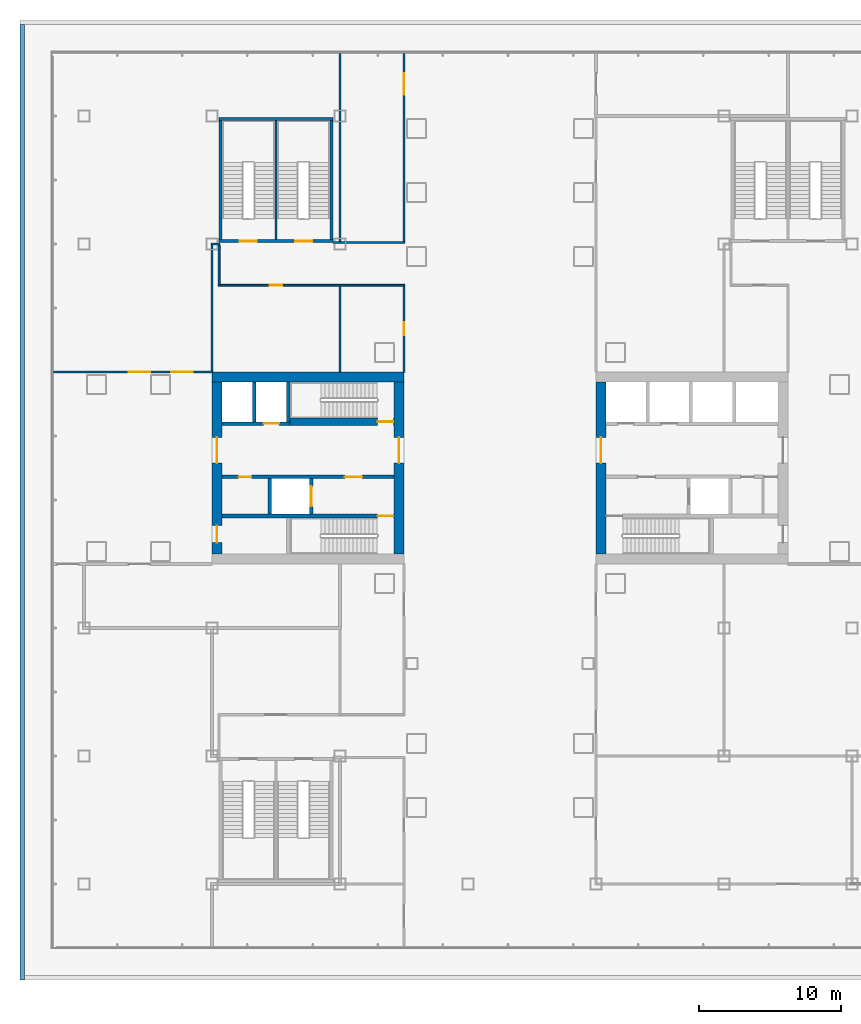
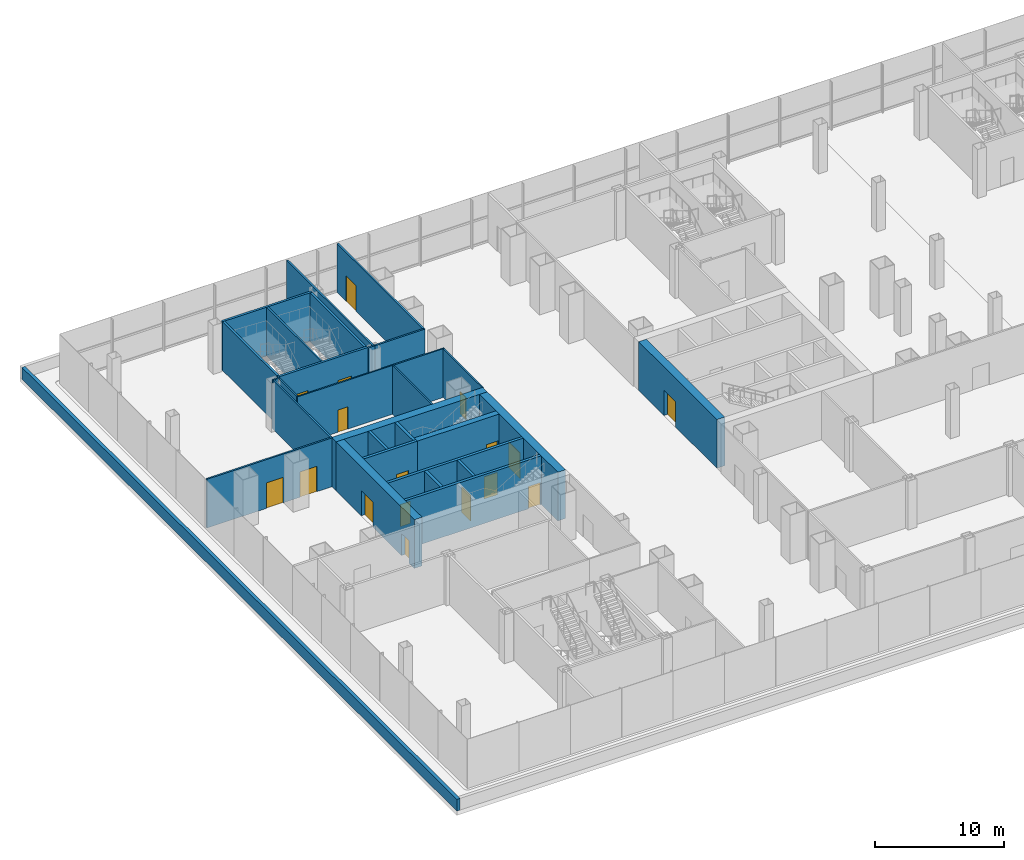
# One storey, part 21 of 33: 29 walls, 17 doors, 17 openings.
"""IFC4 building model written with IfcOpenShell, lengths in metres."""

from ifc_helpers import new_model, si_unit, direction, frame, frame_2d, origin, place, context, subcontext, project, spatial, rectangle, extrude, material, layer, layer_set, type_object, element, fill, save


model = new_model("IFC4")

# Units and contexts
model_context = context("Model", 3, precision=1e-05, world=origin(), true_north=direction((0.0, 1.0)))
body_context = subcontext(model_context, "Body", "Model", "MODEL_VIEW")
ifc_project = project(units=[si_unit("LENGTHUNIT", "METRE"), si_unit("AREAUNIT", "SQUARE_METRE"), si_unit("VOLUMEUNIT", "CUBIC_METRE"), si_unit("PLANEANGLEUNIT", "RADIAN"), si_unit("MASSUNIT", "GRAM", prefix="KILO")], contexts=[model_context])

# Site, building, storey
site_placement = place(None, origin())
site = spatial("IfcSite", under=ifc_project, at=site_placement, CompositionType="ELEMENT")
building_placement = place(site_placement, origin())
building = spatial("IfcBuilding", under=site, at=building_placement, Name="Shamsa Quay Exchange Towers", CompositionType="ELEMENT")
storey_placement = place(building_placement, frame((0.0, 0.0, 18.5)))
storey = spatial("IfcBuildingStorey", under=building, at=storey_placement, Name="L03", CompositionType="ELEMENT", Elevation=18.5)

# Wall, opening, door
ifc_material_1 = material(Name="Concrete C80/95", Category="concrete")
ifc_layer_1 = layer(ifc_material_1, 0.699951171875)
ifc_layer_set_1 = layer_set([ifc_layer_1], Name="CORE WALL 700 C80/95")
wall_type_1 = type_object("IfcWallType", Name="CORE WALL 700 C80/95", PredefinedType="SHEAR", material=ifc_layer_set_1)
wall_1_placement = place(storey_placement, frame((-26.64990234375, 6.050048828125, 0.0), z_axis=(0.0, 0.0, 1.0), x_axis=(0.0, -1.0, 0.0)))
wall_1 = element("IfcWall", 1, at=wall_1_placement, inside=storey, type_object=wall_type_1, Name="Core wall T1A-L03-PF", PredefinedType="SHEAR", context=body_context, shape_type="SweptSolid", body=[
    extrude(rectangle(XDim=12.10009765625, YDim=0.699951171875, at=frame_2d((6.050048828125, 0.0))), origin(), (0.0, 0.0, 1.0), 4.60009765625),
])
opening_1_placement = place(wall_1_placement, frame((3.89990234375, 0.0, 0.0)))
opening_1 = element("IfcOpeningElement", 2, at=opening_1_placement, cuts=wall_1, Name="Opening T1A-L03-LBD01", PredefinedType="OPENING", context=body_context, shape_type="SweptSolid", body=[
    extrude(rectangle(XDim=1.800048828125, YDim=2.39990234375, at=frame_2d((0.89990234375, 1.199951171875))), frame((0.0, 0.35986328125, 0.0), z_axis=(0.0, -1.0, 0.0), x_axis=(1.0, 0.0, 0.0)), (0.0, 0.0, 1.0), 0.719970703125),
])
ifc_material_2 = material(Name="Steel, fire rated", Category="steel")
door_type_1 = type_object("IfcDoorType", Name="LIFT LOBBY DOOR PAIR 1800", OperationType="DOUBLE_DOOR_SINGLE_SWING", PredefinedType="DOOR", material=ifc_material_2)
door_1_placement = place(opening_1_placement, origin())
door_1 = element("IfcDoor", 3, at=door_1_placement, inside=storey, type_object=door_type_1, Name="T1A-L03-LBD01", OperationType="DOUBLE_DOOR_SINGLE_SWING", OverallHeight=2.39990234375, OverallWidth=1.800048828125, PredefinedType="DOOR", context=body_context, shape_type="SweptSolid", body=[
    extrude(rectangle(XDim=1.800048828125, YDim=2.39990234375, at=frame_2d((0.89990234375, 1.199951171875))), frame((0.0, 0.02490234375, 0.0), z_axis=(0.0, -1.0, 0.0), x_axis=(1.0, 0.0, 0.0)), (0.0, 0.0, 1.0), 0.050048828125),
])
fill(opening_1, door_1)

# Wall
wall_2_placement = place(storey_placement, frame((-40.5, 6.39990234375, 0.0), z_axis=(0.0, 0.0, 1.0), x_axis=(-1.0, 0.0, 0.0)))
element("IfcWall", 4, at=wall_2_placement, inside=storey, type_object=wall_type_1, Name="Core wall T1B-L03-PN", PredefinedType="SHEAR", context=body_context, shape_type="SweptSolid", body=[
    extrude(rectangle(XDim=13.5, YDim=0.699951171875, at=frame_2d((6.75, 0.0))), origin(), (0.0, 0.0, 1.0), 4.60009765625),
])

# Wall, opening, door
wall_3_placement = place(storey_placement, frame((-40.85009765625, -6.050048828125, 0.0), z_axis=(0.0, 0.0, 1.0), x_axis=(0.0, 1.0, 0.0)))
wall_3 = element("IfcWall", 5, at=wall_3_placement, inside=storey, type_object=wall_type_1, Name="Core wall T1B-L03-PF", PredefinedType="SHEAR", context=body_context, shape_type="SweptSolid", body=[
    extrude(rectangle(XDim=12.10009765625, YDim=0.699951171875, at=frame_2d((6.050048828125, 0.0))), origin(), (0.0, 0.0, 1.0), 4.60009765625),
])
opening_2_placement = place(wall_3_placement, frame((6.39990234375, 0.0, 0.0)))
opening_2 = element("IfcOpeningElement", 6, at=opening_2_placement, cuts=wall_3, Name="Opening T1B-L03-LBD01", PredefinedType="OPENING", context=body_context, shape_type="SweptSolid", body=[
    extrude(rectangle(XDim=1.800048828125, YDim=2.39990234375, at=frame_2d((0.89990234375, 1.199951171875))), frame((0.0, 0.35986328125, 0.0), z_axis=(0.0, -1.0, 0.0), x_axis=(1.0, 0.0, 0.0)), (0.0, 0.0, 1.0), 0.719970703125),
])
door_2_placement = place(opening_2_placement, origin())
door_2 = element("IfcDoor", 7, at=door_2_placement, inside=storey, type_object=door_type_1, Name="T1B-L03-LBD01", OperationType="DOUBLE_DOOR_SINGLE_SWING", OverallHeight=2.39990234375, OverallWidth=1.800048828125, PredefinedType="DOOR", context=body_context, shape_type="SweptSolid", body=[
    extrude(rectangle(XDim=1.800048828125, YDim=2.39990234375, at=frame_2d((0.89990234375, 1.199951171875))), frame((0.0, 0.02490234375, 0.0), z_axis=(0.0, -1.0, 0.0), x_axis=(1.0, 0.0, 0.0)), (0.0, 0.0, 1.0), 0.050048828125),
])
fill(opening_2, door_2)

# Wall, openings, doors
wall_4_placement = place(storey_placement, frame((-53.64990234375, -6.050048828125, 0.0), z_axis=(0.0, 0.0, 1.0), x_axis=(0.0, 1.0, 0.0)))
wall_4 = element("IfcWall", 8, at=wall_4_placement, inside=storey, type_object=wall_type_1, Name="Core wall T1B-L03-PB", PredefinedType="SHEAR", context=body_context, shape_type="SweptSolid", body=[
    extrude(rectangle(XDim=12.10009765625, YDim=0.699951171875, at=frame_2d((6.050048828125, 0.0))), origin(), (0.0, 0.0, 1.0), 4.60009765625),
])
opening_3_placement = place(wall_4_placement, frame((0.800048828125, 0.0, 0.0)))
opening_3 = element("IfcOpeningElement", 9, at=opening_3_placement, cuts=wall_4, Name="Opening T1B-L03-RD02", PredefinedType="OPENING", context=body_context, shape_type="SweptSolid", body=[
    extrude(rectangle(XDim=1.199951171875, YDim=2.10009765625, at=frame_2d((0.60009765625, 1.050048828125))), frame((0.0, 0.35986328125, 0.0), z_axis=(0.0, -1.0, 0.0), x_axis=(1.0, 0.0, 0.0)), (0.0, 0.0, 1.0), 0.719970703125),
])
opening_4_placement = place(wall_4_placement, frame((6.39990234375, 0.0, 0.0)))
opening_4 = element("IfcOpeningElement", 10, at=opening_4_placement, cuts=wall_4, Name="Opening T1B-L03-LBD03", PredefinedType="OPENING", context=body_context, shape_type="SweptSolid", body=[
    extrude(rectangle(XDim=1.800048828125, YDim=2.39990234375, at=frame_2d((0.89990234375, 1.199951171875))), frame((0.0, 0.35986328125, 0.0), z_axis=(0.0, -1.0, 0.0), x_axis=(1.0, 0.0, 0.0)), (0.0, 0.0, 1.0), 0.719970703125),
])
door_3_placement = place(opening_4_placement, origin())
door_3 = element("IfcDoor", 11, at=door_3_placement, inside=storey, type_object=door_type_1, Name="T1B-L03-LBD03", OperationType="DOUBLE_DOOR_SINGLE_SWING", OverallHeight=2.39990234375, OverallWidth=1.800048828125, PredefinedType="DOOR", context=body_context, shape_type="SweptSolid", body=[
    extrude(rectangle(XDim=1.800048828125, YDim=2.39990234375, at=frame_2d((0.89990234375, 1.199951171875))), frame((0.0, 0.02490234375, 0.0), z_axis=(0.0, -1.0, 0.0), x_axis=(1.0, 0.0, 0.0)), (0.0, 0.0, 1.0), 0.050048828125),
])
fill(opening_4, door_3)
door_type_2 = type_object("IfcDoorType", Name="RISER ACCESS DOOR 1200", OperationType="SINGLE_SWING_LEFT", PredefinedType="DOOR", material=ifc_material_2)
door_4_placement = place(opening_3_placement, origin())
door_4 = element("IfcDoor", 12, at=door_4_placement, inside=storey, type_object=door_type_2, Name="T1B-L03-RD02", OperationType="SINGLE_SWING_LEFT", OverallHeight=2.10009765625, OverallWidth=1.199951171875, PredefinedType="DOOR", context=body_context, shape_type="SweptSolid", body=[
    extrude(rectangle(XDim=1.199951171875, YDim=2.10009765625, at=frame_2d((0.60009765625, 1.050048828125))), frame((0.0, 0.02490234375, 0.0), z_axis=(0.0, -1.0, 0.0), x_axis=(1.0, 0.0, 0.0)), (0.0, 0.0, 1.0), 0.050048828125),
])
fill(opening_3, door_4)

# Wall, opening, door
ifc_material_3 = material(Name="Laminated fire-resisting glass in a metal frame", Category="glass")
ifc_layer_2 = layer(ifc_material_3, 0.125)
ifc_layer_set_2 = layer_set([ifc_layer_2], Name="Glazed partition 125 mm EI 60")
wall_type_2 = type_object("IfcWallType", Name="Glazed partition 125 mm EI 60", PredefinedType="PARTITIONING", material=ifc_layer_set_2)
wall_5_placement = place(storey_placement, frame((-40.5, 6.75, 0.0), z_axis=(0.0, 0.0, 1.0), x_axis=(0.0, 1.0, 0.0)))
wall_5 = element("IfcWall", 13, at=wall_5_placement, inside=storey, type_object=wall_type_2, Name="Partition PD-L03-W09", PredefinedType="PARTITIONING", context=body_context, shape_type="SweptSolid", body=[
    extrude(rectangle(XDim=6.037109375, YDim=0.125, at=frame_2d((3.0185546875, 0.0))), origin(), (0.0, 0.0, 1.0), 4.60009765625),
])
opening_5_placement = place(wall_5_placement, frame((2.599853515625, 0.0, 0.0)))
opening_5 = element("IfcOpeningElement", 14, at=opening_5_placement, cuts=wall_5, Name="Opening PD-L03-D09", PredefinedType="OPENING", context=body_context, shape_type="SweptSolid", body=[
    extrude(rectangle(XDim=0.89990234375, YDim=2.10009765625, at=frame_2d((0.449951171875, 1.050048828125))), frame((0.0, 0.072509765625, 0.0), z_axis=(0.0, -1.0, 0.0), x_axis=(1.0, 0.0, 0.0)), (0.0, 0.0, 1.0), 0.14501953125),
])
ifc_material_4 = material(Name="Timber door leaf in a metal frame", Category="wood")
door_type_3 = type_object("IfcDoorType", Name="Door 900x2100 FD30S", OperationType="NOTDEFINED", PredefinedType="DOOR", material=ifc_material_4)
door_5_placement = place(opening_5_placement, origin())
door_5 = element("IfcDoor", 15, at=door_5_placement, inside=storey, type_object=door_type_3, Name="Door PD-L03-D09", OperationType="SINGLE_SWING_LEFT", OverallHeight=2.10009765625, OverallWidth=0.89990234375, PredefinedType="DOOR", context=body_context, shape_type="SweptSolid", body=[
    extrude(rectangle(XDim=0.89990234375, YDim=2.10009765625, at=frame_2d((0.449951171875, 1.050048828125))), frame((0.0, 0.02490234375, 0.0), z_axis=(0.0, -1.0, 0.0), x_axis=(1.0, 0.0, 0.0)), (0.0, 0.0, 1.0), 0.050048828125),
])
fill(opening_5, door_5)

wall_6_placement = place(storey_placement, frame((-40.4375, 12.849609375, 0.0), z_axis=(0.0, 0.0, 1.0), x_axis=(-1.0, 0.0, 0.0)))
wall_6 = element("IfcWall", 16, at=wall_6_placement, inside=storey, type_object=wall_type_2, Name="Partition PD-L03-W42", PredefinedType="PARTITIONING", context=body_context, shape_type="SweptSolid", body=[
    extrude(rectangle(XDim=13.125, YDim=0.125, at=frame_2d((6.5625, 0.0))), origin(), (0.0, 0.0, 1.0), 4.60009765625),
])
opening_6_placement = place(wall_6_placement, frame((8.612548828125, 0.0, 0.0)))
opening_6 = element("IfcOpeningElement", 17, at=opening_6_placement, cuts=wall_6, Name="Opening PD-L03-D10", PredefinedType="OPENING", context=body_context, shape_type="SweptSolid", body=[
    extrude(rectangle(XDim=0.89990234375, YDim=2.10009765625, at=frame_2d((0.449951171875, 1.050048828125))), frame((0.0, 0.072509765625, 0.0), z_axis=(0.0, -1.0, 0.0), x_axis=(1.0, 0.0, 0.0)), (0.0, 0.0, 1.0), 0.14501953125),
])
door_6_placement = place(opening_6_placement, origin())
door_6 = element("IfcDoor", 18, at=door_6_placement, inside=storey, type_object=door_type_3, Name="Door PD-L03-D10", OperationType="SINGLE_SWING_RIGHT", OverallHeight=2.10009765625, OverallWidth=0.89990234375, PredefinedType="DOOR", context=body_context, shape_type="SweptSolid", body=[
    extrude(rectangle(XDim=0.89990234375, YDim=2.10009765625, at=frame_2d((0.449951171875, 1.050048828125))), frame((0.0, 0.02490234375, 0.0), z_axis=(0.0, -1.0, 0.0), x_axis=(1.0, 0.0, 0.0)), (0.0, 0.0, 1.0), 0.050048828125),
])
fill(opening_6, door_6)

# Walls
wall_7_placement = place(storey_placement, frame((-53.5, 12.912109375, 0.0), z_axis=(0.0, 0.0, 1.0), x_axis=(0.0, 1.0, 0.0)))
element("IfcWall", 19, at=wall_7_placement, inside=storey, type_object=wall_type_2, Name="Partition PD-L03-W43", PredefinedType="PARTITIONING", context=body_context, shape_type="SweptSolid", body=[
    extrude(rectangle(XDim=2.762939453125, YDim=0.125, at=frame_2d((1.38134765625, 0.0))), origin(), (0.0, 0.0, 1.0), 4.60009765625),
])
wall_8_placement = place(storey_placement, frame((-45.0, 6.75, 0.0), z_axis=(0.0, 0.0, 1.0), x_axis=(0.0, 1.0, 0.0)))
element("IfcWall", 20, at=wall_8_placement, inside=storey, type_object=wall_type_2, Name="Partition PD-L03-W98", PredefinedType="PARTITIONING", context=body_context, shape_type="SweptSolid", body=[
    extrude(rectangle(XDim=6.037109375, YDim=0.125, at=frame_2d((3.0185546875, 0.0))), origin(), (0.0, 0.0, 1.0), 4.60009765625),
])

# Wall, opening, door
ifc_material_5 = material(Name="Gypsum board partition on metal studs")
ifc_layer_3 = layer(ifc_material_5, 0.14990234375)
ifc_layer_set_3 = layer_set([ifc_layer_3], Name="Partition 150 mm EI 60")
wall_type_3 = type_object("IfcWallType", Name="Partition 150 mm EI 60", PredefinedType="PARTITIONING", material=ifc_layer_set_3)
wall_9_placement = place(storey_placement, frame((-40.5, 15.924560546875, 0.0), z_axis=(0.0, 0.0, 1.0), x_axis=(0.0, 1.0, 0.0)))
wall_9 = element("IfcWall", 21, at=wall_9_placement, inside=storey, type_object=wall_type_3, Name="Partition PD-L03-W05", PredefinedType="PARTITIONING", context=body_context, shape_type="SweptSolid", body=[
    extrude(rectangle(XDim=13.23046875, YDim=0.14990234375, at=frame_2d((6.615234375, 0.0))), origin(), (0.0, 0.0, 1.0), 4.60009765625),
])
opening_7_placement = place(wall_9_placement, frame((10.325439453125, 0.0, 0.0)))
opening_7 = element("IfcOpeningElement", 22, at=opening_7_placement, cuts=wall_9, Name="Opening PD-L03-D11", PredefinedType="OPENING", context=body_context, shape_type="SweptSolid", body=[
    extrude(rectangle(XDim=1.5, YDim=2.39990234375, at=frame_2d((0.75, 1.199951171875))), frame((0.0, 0.0849609375, 0.0), z_axis=(0.0, -1.0, 0.0), x_axis=(1.0, 0.0, 0.0)), (0.0, 0.0, 1.0), 0.169921875),
])
door_type_4 = type_object("IfcDoorType", Name="Door 1500x2400 FD30S pair", OperationType="NOTDEFINED", PredefinedType="DOOR", material=ifc_material_4)
door_7_placement = place(opening_7_placement, origin())
door_7 = element("IfcDoor", 23, at=door_7_placement, inside=storey, type_object=door_type_4, Name="Door PD-L03-D11", OperationType="DOUBLE_DOOR_SINGLE_SWING", OverallHeight=2.39990234375, OverallWidth=1.5, PredefinedType="DOOR", context=body_context, shape_type="SweptSolid", body=[
    extrude(rectangle(XDim=1.5, YDim=2.39990234375, at=frame_2d((0.75, 1.199951171875))), frame((0.0, 0.02490234375, 0.0), z_axis=(0.0, -1.0, 0.0), x_axis=(1.0, 0.0, 0.0)), (0.0, 0.0, 1.0), 0.050048828125),
])
fill(opening_7, door_7)

# Wall, openings, doors
wall_10_placement = place(storey_placement, frame((-53.925048828125, 6.75, 0.0), z_axis=(0.0, 0.0, 1.0), x_axis=(-1.0, 0.0, 0.0)))
wall_10 = element("IfcWall", 24, at=wall_10_placement, inside=storey, type_object=wall_type_3, Name="Partition PD-L03-W32", PredefinedType="PARTITIONING", context=body_context, shape_type="SweptSolid", body=[
    extrude(rectangle(XDim=11.22998046875, YDim=0.14990234375, at=frame_2d((5.614990234375, 0.0))), origin(), (0.0, 0.0, 1.0), 4.60009765625),
])
opening_8_placement = place(wall_10_placement, frame((1.425048828125, 0.0, 0.0)))
opening_8 = element("IfcOpeningElement", 25, at=opening_8_placement, cuts=wall_10, Name="Opening PD-L03-D03", PredefinedType="OPENING", context=body_context, shape_type="SweptSolid", body=[
    extrude(rectangle(XDim=1.5, YDim=2.39990234375, at=frame_2d((0.75, 1.199951171875))), frame((0.0, 0.0849609375, 0.0), z_axis=(0.0, -1.0, 0.0), x_axis=(1.0, 0.0, 0.0)), (0.0, 0.0, 1.0), 0.169921875),
])
opening_9_placement = place(wall_10_placement, frame((4.425048828125, 0.0, 0.0)))
opening_9 = element("IfcOpeningElement", 26, at=opening_9_placement, cuts=wall_10, Name="Opening PD-L03-D04", PredefinedType="OPENING", context=body_context, shape_type="SweptSolid", body=[
    extrude(rectangle(XDim=1.5, YDim=2.39990234375, at=frame_2d((0.75, 1.199951171875))), frame((0.0, 0.0849609375, 0.0), z_axis=(0.0, -1.0, 0.0), x_axis=(1.0, 0.0, 0.0)), (0.0, 0.0, 1.0), 0.169921875),
])
door_8_placement = place(opening_8_placement, origin())
door_8 = element("IfcDoor", 27, at=door_8_placement, inside=storey, type_object=door_type_4, Name="Door PD-L03-D03", OperationType="DOUBLE_DOOR_SINGLE_SWING", OverallHeight=2.39990234375, OverallWidth=1.5, PredefinedType="DOOR", context=body_context, shape_type="SweptSolid", body=[
    extrude(rectangle(XDim=1.5, YDim=2.39990234375, at=frame_2d((0.75, 1.199951171875))), frame((0.0, 0.02490234375, 0.0), z_axis=(0.0, -1.0, 0.0), x_axis=(1.0, 0.0, 0.0)), (0.0, 0.0, 1.0), 0.050048828125),
])
fill(opening_8, door_8)
door_9_placement = place(opening_9_placement, origin())
door_9 = element("IfcDoor", 28, at=door_9_placement, inside=storey, type_object=door_type_4, Name="Door PD-L03-D04", OperationType="DOUBLE_DOOR_SINGLE_SWING", OverallHeight=2.39990234375, OverallWidth=1.5, PredefinedType="DOOR", context=body_context, shape_type="SweptSolid", body=[
    extrude(rectangle(XDim=1.5, YDim=2.39990234375, at=frame_2d((0.75, 1.199951171875))), frame((0.0, 0.02490234375, 0.0), z_axis=(0.0, -1.0, 0.0), x_axis=(1.0, 0.0, 0.0)), (0.0, 0.0, 1.0), 0.050048828125),
])
fill(opening_9, door_9)

# Walls
wall_11_placement = place(storey_placement, frame((-44.925048828125, 15.849609375, 0.0), z_axis=(0.0, 0.0, 1.0), x_axis=(-1.0, 0.0, 0.0)))
element("IfcWall", 29, at=wall_11_placement, inside=storey, type_object=wall_type_3, Name="Partition PD-L03-W36", PredefinedType="PARTITIONING", context=body_context, shape_type="SweptSolid", body=[
    extrude(rectangle(XDim=0.574951171875, YDim=0.14990234375, at=frame_2d((0.28759765625, 0.0))), origin(), (0.0, 0.0, 1.0), 4.60009765625),
])
wall_12_placement = place(storey_placement, frame((-45.074951171875, 15.849609375, 0.0)))
element("IfcWall", 30, at=wall_12_placement, inside=storey, type_object=wall_type_3, Name="Partition PD-L03-W37", PredefinedType="PARTITIONING", context=body_context, shape_type="SweptSolid", body=[
    extrude(rectangle(XDim=4.64990234375, YDim=0.14990234375, at=frame_2d((2.324951171875, 0.0))), origin(), (0.0, 0.0, 1.0), 4.60009765625),
])
wall_13_placement = place(storey_placement, frame((-45.0, 15.924560546875, 0.0), z_axis=(0.0, 0.0, 1.0), x_axis=(0.0, 1.0, 0.0)))
element("IfcWall", 31, at=wall_13_placement, inside=storey, type_object=wall_type_3, Name="Partition PD-L03-W59", PredefinedType="PARTITIONING", context=body_context, shape_type="SweptSolid", body=[
    extrude(rectangle(XDim=13.23046875, YDim=0.14990234375, at=frame_2d((6.615234375, 0.0))), origin(), (0.0, 0.0, 1.0), 4.60009765625),
])
wall_14_placement = place(storey_placement, frame((-54.074951171875, 15.75, 0.0)))
element("IfcWall", 32, at=wall_14_placement, inside=storey, type_object=wall_type_3, Name="Partition PD-L03-W60", PredefinedType="PARTITIONING", context=body_context, shape_type="SweptSolid", body=[
    extrude(rectangle(XDim=0.637451171875, YDim=0.14990234375, at=frame_2d((0.31884765625, 0.0))), origin(), (0.0, 0.0, 1.0), 4.60009765625),
])
wall_15_placement = place(storey_placement, frame((-54.0, 6.824951171875, 0.0), z_axis=(0.0, 0.0, 1.0), x_axis=(0.0, 1.0, 0.0)))
element("IfcWall", 33, at=wall_15_placement, inside=storey, type_object=wall_type_3, Name="Partition PD-L03-W64", PredefinedType="PARTITIONING", context=body_context, shape_type="SweptSolid", body=[
    extrude(rectangle(XDim=8.85009765625, YDim=0.14990234375, at=frame_2d((4.425048828125, 0.0))), origin(), (0.0, 0.0, 1.0), 4.60009765625),
])
ifc_material_6 = material(Name="Reinforced concrete C30/37", Category="concrete")
ifc_layer_4 = layer(ifc_material_6, 0.300048828125)
ifc_layer_set_4 = layer_set([ifc_layer_4], Name="ROOF PARAPET 300 C30/37")
wall_type_4 = type_object("IfcWallType", Name="ROOF PARAPET 300 C30/37", PredefinedType="PARAPET", material=ifc_layer_set_4)
wall_16_placement = place(storey_placement, frame((-67.35009765625, 31.199951171875, 0.0), z_axis=(0.0, 0.0, 1.0), x_axis=(0.0, -1.0, 0.0)))
element("IfcWall", 34, at=wall_16_placement, inside=storey, type_object=wall_type_4, Name="Parapet L02 3", PredefinedType="PARAPET", context=body_context, shape_type="SweptSolid", body=[
    extrude(rectangle(XDim=67.199951171875, YDim=0.300048828125, at=frame_2d((33.60009765625, 0.0))), origin(), (0.0, 0.0, 1.0), 1.10009765625),
])

# Wall, opening, door
ifc_material_7 = material(Name="Concrete C50/60", Category="concrete")
ifc_layer_5 = layer(ifc_material_7, 0.25)
ifc_layer_set_5 = layer_set([ifc_layer_5], Name="SHAFT WALL 250 C50/60")
wall_type_5 = type_object("IfcWallType", Name="SHAFT WALL 250 C50/60", PredefinedType="SHEAR", material=ifc_layer_set_5)
wall_17_placement = place(storey_placement, frame((-41.199951171875, -3.375, 0.0), z_axis=(0.0, 0.0, 1.0), x_axis=(-1.0, 0.0, 0.0)))
wall_17 = element("IfcWall", 35, at=wall_17_placement, inside=storey, type_object=wall_type_5, Name="Shaft wall T1B-L03-STL", PredefinedType="SHEAR", context=body_context, shape_type="SweptSolid", body=[
    extrude(rectangle(XDim=12.10009765625, YDim=0.25, at=frame_2d((6.050048828125, 0.0))), origin(), (0.0, 0.0, 1.0), 4.60009765625),
])
opening_10_placement = place(wall_17_placement, frame((0.050048828125, 0.0, 0.0)))
opening_10 = element("IfcOpeningElement", 36, at=opening_10_placement, cuts=wall_17, Name="Opening T1B-L03-SD04", PredefinedType="OPENING", context=body_context, shape_type="SweptSolid", body=[
    extrude(rectangle(XDim=1.10009765625, YDim=2.10009765625, at=frame_2d((0.550048828125, 1.050048828125))), frame((0.0, 0.135009765625, 0.0), z_axis=(0.0, -1.0, 0.0), x_axis=(1.0, 0.0, 0.0)), (0.0, 0.0, 1.0), 0.27001953125),
])
door_type_5 = type_object("IfcDoorType", Name="STAIR DOOR 1100", OperationType="SINGLE_SWING_LEFT", PredefinedType="DOOR", material=ifc_material_2)
door_10_placement = place(opening_10_placement, origin())
door_10 = element("IfcDoor", 37, at=door_10_placement, inside=storey, type_object=door_type_5, Name="T1B-L03-SD04", OperationType="SINGLE_SWING_LEFT", OverallHeight=2.10009765625, OverallWidth=1.10009765625, PredefinedType="DOOR", context=body_context, shape_type="SweptSolid", body=[
    extrude(rectangle(XDim=1.10009765625, YDim=2.10009765625, at=frame_2d((0.550048828125, 1.050048828125))), frame((0.0, 0.02490234375, 0.0), z_axis=(0.0, -1.0, 0.0), x_axis=(1.0, 0.0, 0.0)), (0.0, 0.0, 1.0), 0.050048828125),
])
fill(opening_10, door_10)

# Wall, openings, doors
wall_18_placement = place(storey_placement, frame((-41.199951171875, -0.625, 0.0), z_axis=(0.0, 0.0, 1.0), x_axis=(-1.0, 0.0, 0.0)))
wall_18 = element("IfcWall", 38, at=wall_18_placement, inside=storey, type_object=wall_type_5, Name="Shaft wall T1B-L03-B", PredefinedType="SHEAR", context=body_context, shape_type="SweptSolid", body=[
    extrude(rectangle(XDim=12.10009765625, YDim=0.25, at=frame_2d((6.050048828125, 0.0))), origin(), (0.0, 0.0, 1.0), 4.60009765625),
])
opening_11_placement = place(wall_18_placement, frame((2.25, 0.0, 0.0)))
opening_11 = element("IfcOpeningElement", 39, at=opening_11_placement, cuts=wall_18, Name="Opening T1B-L03-FD05", PredefinedType="OPENING", context=body_context, shape_type="SweptSolid", body=[
    extrude(rectangle(XDim=1.199951171875, YDim=2.10009765625, at=frame_2d((0.60009765625, 1.050048828125))), frame((0.0, 0.135009765625, 0.0), z_axis=(0.0, -1.0, 0.0), x_axis=(1.0, 0.0, 0.0)), (0.0, 0.0, 1.0), 0.27001953125),
])
opening_12_placement = place(wall_18_placement, frame((10.02490234375, 0.0, 0.0)))
opening_12 = element("IfcOpeningElement", 40, at=opening_12_placement, cuts=wall_18, Name="Opening T1B-L03-SV06", PredefinedType="OPENING", context=body_context, shape_type="SweptSolid", body=[
    extrude(rectangle(XDim=0.89990234375, YDim=2.10009765625, at=frame_2d((0.449951171875, 1.050048828125))), frame((0.0, 0.135009765625, 0.0), z_axis=(0.0, -1.0, 0.0), x_axis=(1.0, 0.0, 0.0)), (0.0, 0.0, 1.0), 0.27001953125),
])
door_type_6 = type_object("IfcDoorType", Name="FIRE SERVICE LOBBY DOOR 1200", OperationType="SINGLE_SWING_LEFT", PredefinedType="DOOR", material=ifc_material_2)
door_11_placement = place(opening_11_placement, origin())
door_11 = element("IfcDoor", 41, at=door_11_placement, inside=storey, type_object=door_type_6, Name="T1B-L03-FD05", OperationType="SINGLE_SWING_LEFT", OverallHeight=2.10009765625, OverallWidth=1.199951171875, PredefinedType="DOOR", context=body_context, shape_type="SweptSolid", body=[
    extrude(rectangle(XDim=1.199951171875, YDim=2.10009765625, at=frame_2d((0.60009765625, 1.050048828125))), frame((0.0, 0.02490234375, 0.0), z_axis=(0.0, -1.0, 0.0), x_axis=(1.0, 0.0, 0.0)), (0.0, 0.0, 1.0), 0.050048828125),
])
fill(opening_11, door_11)
door_type_7 = type_object("IfcDoorType", Name="SERVICE ROOM DOOR 900", OperationType="SINGLE_SWING_LEFT", PredefinedType="DOOR", material=ifc_material_2)
door_12_placement = place(opening_12_placement, origin())
door_12 = element("IfcDoor", 42, at=door_12_placement, inside=storey, type_object=door_type_7, Name="T1B-L03-SV06", OperationType="SINGLE_SWING_RIGHT", OverallHeight=2.10009765625, OverallWidth=0.89990234375, PredefinedType="DOOR", context=body_context, shape_type="SweptSolid", body=[
    extrude(rectangle(XDim=0.89990234375, YDim=2.10009765625, at=frame_2d((0.449951171875, 1.050048828125))), frame((0.0, 0.02490234375, 0.0), z_axis=(0.0, -1.0, 0.0), x_axis=(1.0, 0.0, 0.0)), (0.0, 0.0, 1.0), 0.050048828125),
])
fill(opening_12, door_12)

# Wall, opening, door
wall_19_placement = place(storey_placement, frame((-47.02490234375, -3.25, 0.0), z_axis=(0.0, 0.0, 1.0), x_axis=(0.0, 1.0, 0.0)))
wall_19 = element("IfcWall", 43, at=wall_19_placement, inside=storey, type_object=wall_type_5, Name="Shaft wall T1B-L03-FFF", PredefinedType="SHEAR", context=body_context, shape_type="SweptSolid", body=[
    extrude(rectangle(XDim=2.5, YDim=0.25, at=frame_2d((1.25, 0.0))), origin(), (0.0, 0.0, 1.0), 4.60009765625),
])
opening_13_placement = place(wall_19_placement, frame((0.550048828125, 0.0, 0.0)))
opening_13 = element("IfcOpeningElement", 44, at=opening_13_placement, cuts=wall_19, Name="Opening T1B-L03-LDG07", PredefinedType="OPENING", context=body_context, shape_type="SweptSolid", body=[
    extrude(rectangle(XDim=1.39990234375, YDim=2.39990234375, at=frame_2d((0.699951171875, 1.199951171875))), frame((0.0, 0.135009765625, 0.0), z_axis=(0.0, -1.0, 0.0), x_axis=(1.0, 0.0, 0.0)), (0.0, 0.0, 1.0), 0.27001953125),
])
door_type_8 = type_object("IfcDoorType", Name="GOODS LIFT LANDING DOOR 1400", OperationType="SLIDING_TO_LEFT", PredefinedType="DOOR", material=ifc_material_2)
door_13_placement = place(opening_13_placement, origin())
door_13 = element("IfcDoor", 45, at=door_13_placement, inside=storey, type_object=door_type_8, Name="T1B-L03-LDG07", OperationType="SLIDING_TO_LEFT", OverallHeight=2.39990234375, OverallWidth=1.39990234375, PredefinedType="DOOR", context=body_context, shape_type="SweptSolid", body=[
    extrude(rectangle(XDim=1.39990234375, YDim=2.39990234375, at=frame_2d((0.699951171875, 1.199951171875))), frame((0.0, 0.02490234375, 0.0), z_axis=(0.0, -1.0, 0.0), x_axis=(1.0, 0.0, 0.0)), (0.0, 0.0, 1.0), 0.050048828125),
])
fill(opening_13, door_13)

# Wall
wall_20_placement = place(storey_placement, frame((-49.925048828125, -3.25, 0.0), z_axis=(0.0, 0.0, 1.0), x_axis=(0.0, 1.0, 0.0)))
element("IfcWall", 46, at=wall_20_placement, inside=storey, type_object=wall_type_5, Name="Shaft wall T1B-L03-FFB", PredefinedType="SHEAR", context=body_context, shape_type="SweptSolid", body=[
    extrude(rectangle(XDim=2.5, YDim=0.25, at=frame_2d((1.25, 0.0))), origin(), (0.0, 0.0, 1.0), 4.60009765625),
])

# Wall, opening, door
wall_21_placement = place(storey_placement, frame((-48.5, 3.125, 0.0), z_axis=(0.0, 0.0, 1.0), x_axis=(-1.0, 0.0, 0.0)))
wall_21 = element("IfcWall", 47, at=wall_21_placement, inside=storey, type_object=wall_type_5, Name="Shaft wall T1B-L03-N2", PredefinedType="SHEAR", context=body_context, shape_type="SweptSolid", body=[
    extrude(rectangle(XDim=4.800048828125, YDim=0.25, at=frame_2d((2.39990234375, 0.0))), origin(), (0.0, 0.0, 1.0), 4.60009765625),
])
opening_14_placement = place(wall_21_placement, frame((0.77490234375, 0.0, 0.0)))
opening_14 = element("IfcOpeningElement", 48, at=opening_14_placement, cuts=wall_21, Name="Opening T1B-L03-LD09", PredefinedType="OPENING", context=body_context, shape_type="SweptSolid", body=[
    extrude(rectangle(XDim=1.10009765625, YDim=2.10009765625, at=frame_2d((0.550048828125, 1.050048828125))), frame((0.0, 0.135009765625, 0.0), z_axis=(0.0, -1.0, 0.0), x_axis=(1.0, 0.0, 0.0)), (0.0, 0.0, 1.0), 0.27001953125),
])
door_type_9 = type_object("IfcDoorType", Name="LANDING DOOR 1100", OperationType="SLIDING_TO_LEFT", PredefinedType="DOOR", material=ifc_material_2)
door_14_placement = place(opening_14_placement, origin())
door_14 = element("IfcDoor", 49, at=door_14_placement, inside=storey, type_object=door_type_9, Name="T1B-L03-LD09", OperationType="SLIDING_TO_LEFT", OverallHeight=2.10009765625, OverallWidth=1.10009765625, PredefinedType="DOOR", context=body_context, shape_type="SweptSolid", body=[
    extrude(rectangle(XDim=1.10009765625, YDim=2.10009765625, at=frame_2d((0.550048828125, 1.050048828125))), frame((0.0, 0.02490234375, 0.0), z_axis=(0.0, -1.0, 0.0), x_axis=(1.0, 0.0, 0.0)), (0.0, 0.0, 1.0), 0.050048828125),
])
fill(opening_14, door_14)

# Walls
for number, where, z_axis, x_axis, name in (
    (50, (-48.625, 3.25, 0.0), (0.0, 0.0, 1.0), (0.0, 1.0, 0.0), "Shaft wall T1B-L03-STF2"),
    (51, (-51.02490234375, 3.25, 0.0), (0.0, 0.0, 1.0), (0.0, 1.0, 0.0), "Shaft wall T1B-L03-D0"),
):
    element("IfcWall", number, at=place(storey_placement, frame(where, z_axis=z_axis, x_axis=x_axis)), inside=storey, type_object=wall_type_5, Name=name, PredefinedType="SHEAR", context=body_context, shape_type="SweptSolid", body=[
        extrude(rectangle(XDim=2.800048828125, YDim=0.25, at=frame_2d((1.39990234375, 0.0))), origin(), (0.0, 0.0, 1.0), 4.60009765625),
    ])

# Wall, opening, door
ifc_layer_6 = layer(ifc_material_7, 0.5)
ifc_layer_set_6 = layer_set([ifc_layer_6], Name="SHAFT WALL 500 C50/60")
wall_type_6 = type_object("IfcWallType", Name="SHAFT WALL 500 C50/60", PredefinedType="SHEAR", material=ifc_layer_set_6)
wall_22_placement = place(storey_placement, frame((-48.5, 3.25, 0.0)))
wall_22 = element("IfcWall", 52, at=wall_22_placement, inside=storey, type_object=wall_type_6, Name="Shaft wall T1B-L03-N", PredefinedType="SHEAR", context=body_context, shape_type="SweptSolid", body=[
    extrude(rectangle(XDim=7.300048828125, YDim=0.5, at=frame_2d((3.64990234375, 0.0))), origin(), (0.0, 0.0, 1.0), 4.60009765625),
])
opening_15_placement = place(wall_22_placement, frame((6.14990234375, 0.0, 0.0)))
opening_15 = element("IfcOpeningElement", 53, at=opening_15_placement, cuts=wall_22, Name="Opening T1B-L03-SD08", PredefinedType="OPENING", context=body_context, shape_type="SweptSolid", body=[
    extrude(rectangle(XDim=1.10009765625, YDim=2.10009765625, at=frame_2d((0.550048828125, 1.050048828125))), frame((0.0, 0.260009765625, 0.0), z_axis=(0.0, -1.0, 0.0), x_axis=(1.0, 0.0, 0.0)), (0.0, 0.0, 1.0), 0.52001953125),
])
door_15_placement = place(opening_15_placement, origin())
door_15 = element("IfcDoor", 54, at=door_15_placement, inside=storey, type_object=door_type_5, Name="T1B-L03-SD08", OperationType="SINGLE_SWING_RIGHT", OverallHeight=2.10009765625, OverallWidth=1.10009765625, PredefinedType="DOOR", context=body_context, shape_type="SweptSolid", body=[
    extrude(rectangle(XDim=1.10009765625, YDim=2.10009765625, at=frame_2d((0.550048828125, 1.050048828125))), frame((0.0, 0.02490234375, 0.0), z_axis=(0.0, -1.0, 0.0), x_axis=(1.0, 0.0, 0.0)), (0.0, 0.0, 1.0), 0.050048828125),
])
fill(opening_15, door_15)

# Wall, openings, doors
ifc_layer_7 = layer(ifc_material_7, 0.199951171875)
ifc_layer_set_7 = layer_set([ifc_layer_7], Name="STAIR ENCLOSURE WALL 200 C50/60")
wall_type_7 = type_object("IfcWallType", Name="STAIR ENCLOSURE WALL 200 C50/60", PredefinedType="SHEAR", material=ifc_layer_set_7)
wall_23_placement = place(storey_placement, frame((-53.5, 15.949951171875, 0.0)))
wall_23 = element("IfcWall", 55, at=wall_23_placement, inside=storey, type_object=wall_type_7, Name="Stair enclosure wall PS1 inward", PredefinedType="SHEAR", context=body_context, shape_type="SweptSolid", body=[
    extrude(rectangle(XDim=8.0, YDim=0.199951171875, at=frame_2d((4.0, 0.0))), origin(), (0.0, 0.0, 1.0), 4.60009765625),
])
opening_16_placement = place(wall_23_placement, frame((1.46240234375, 0.0, 0.0)))
opening_16 = element("IfcOpeningElement", 56, at=opening_16_placement, cuts=wall_23, Name="Opening PS1A-L03-SD01", PredefinedType="OPENING", context=body_context, shape_type="SweptSolid", body=[
    extrude(rectangle(XDim=1.199951171875, YDim=2.39990234375, at=frame_2d((0.60009765625, 1.199951171875))), frame((0.0, 0.10986328125, 0.0), z_axis=(0.0, -1.0, 0.0), x_axis=(1.0, 0.0, 0.0)), (0.0, 0.0, 1.0), 0.219970703125),
])
opening_17_placement = place(wall_23_placement, frame((5.33740234375, 0.0, 0.0)))
opening_17 = element("IfcOpeningElement", 57, at=opening_17_placement, cuts=wall_23, Name="Opening PS1B-L03-SD01", PredefinedType="OPENING", context=body_context, shape_type="SweptSolid", body=[
    extrude(rectangle(XDim=1.199951171875, YDim=2.39990234375, at=frame_2d((0.60009765625, 1.199951171875))), frame((0.0, 0.10986328125, 0.0), z_axis=(0.0, -1.0, 0.0), x_axis=(1.0, 0.0, 0.0)), (0.0, 0.0, 1.0), 0.219970703125),
])
door_type_10 = type_object("IfcDoorType", Name="PODIUM STAIR DOOR 1200", OperationType="SINGLE_SWING_LEFT", PredefinedType="DOOR", material=ifc_material_2)
door_16_placement = place(opening_16_placement, origin())
door_16 = element("IfcDoor", 58, at=door_16_placement, inside=storey, type_object=door_type_10, Name="PS1A-L03-SD01", OperationType="SINGLE_SWING_LEFT", OverallHeight=2.39990234375, OverallWidth=1.199951171875, PredefinedType="DOOR", context=body_context, shape_type="SweptSolid", body=[
    extrude(rectangle(XDim=1.199951171875, YDim=2.39990234375, at=frame_2d((0.60009765625, 1.199951171875))), frame((0.0, 0.02490234375, 0.0), z_axis=(0.0, -1.0, 0.0), x_axis=(1.0, 0.0, 0.0)), (0.0, 0.0, 1.0), 0.050048828125),
])
fill(opening_16, door_16)
door_17_placement = place(opening_17_placement, origin())
door_17 = element("IfcDoor", 59, at=door_17_placement, inside=storey, type_object=door_type_10, Name="PS1B-L03-SD01", OperationType="SINGLE_SWING_RIGHT", OverallHeight=2.39990234375, OverallWidth=1.199951171875, PredefinedType="DOOR", context=body_context, shape_type="SweptSolid", body=[
    extrude(rectangle(XDim=1.199951171875, YDim=2.39990234375, at=frame_2d((0.60009765625, 1.199951171875))), frame((0.0, 0.02490234375, 0.0), z_axis=(0.0, -1.0, 0.0), x_axis=(1.0, 0.0, 0.0)), (0.0, 0.0, 1.0), 0.050048828125),
])
fill(opening_17, door_17)

# Walls
wall_24_placement = place(storey_placement, frame((-53.5, 24.550048828125, 0.0)))
element("IfcWall", 60, at=wall_24_placement, inside=storey, type_object=wall_type_7, Name="Stair enclosure wall PS1 outward", PredefinedType="SHEAR", context=body_context, shape_type="SweptSolid", body=[
    extrude(rectangle(XDim=8.0, YDim=0.199951171875, at=frame_2d((4.0, 0.0))), origin(), (0.0, 0.0, 1.0), 4.60009765625),
])
for number, where, z_axis, x_axis, name in (
    (61, (-53.39990234375, 16.050048828125, 0.0), (0.0, 0.0, 1.0), (0.0, 1.0, 0.0), "Stair enclosure wall PS1 west"),
    (62, (-45.60009765625, 16.050048828125, 0.0), (0.0, 0.0, 1.0), (0.0, 1.0, 0.0), "Stair enclosure wall PS1 east"),
):
    element("IfcWall", number, at=place(storey_placement, frame(where, z_axis=z_axis, x_axis=x_axis)), inside=storey, type_object=wall_type_7, Name=name, PredefinedType="SHEAR", context=body_context, shape_type="SweptSolid", body=[
        extrude(rectangle(XDim=8.39990234375, YDim=0.199951171875, at=frame_2d((4.199951171875, 0.0))), origin(), (0.0, 0.0, 1.0), 4.60009765625),
    ])
ifc_layer_8 = layer(ifc_material_7, 0.14990234375)
ifc_layer_set_8 = layer_set([ifc_layer_8], Name="STAIR PARTITION WALL 150 C50/60")
wall_type_8 = type_object("IfcWallType", Name="STAIR PARTITION WALL 150 C50/60", PredefinedType="SHEAR", material=ifc_layer_set_8)
wall_25_placement = place(storey_placement, frame((-49.5, 16.050048828125, 0.0), z_axis=(0.0, 0.0, 1.0), x_axis=(0.0, 1.0, 0.0)))
element("IfcWall", 63, at=wall_25_placement, inside=storey, type_object=wall_type_8, Name="Stair enclosure wall PS1 between the stairs", PredefinedType="SHEAR", context=body_context, shape_type="SweptSolid", body=[
    extrude(rectangle(XDim=8.39990234375, YDim=0.14990234375, at=frame_2d((4.199951171875, 0.0))), origin(), (0.0, 0.0, 1.0), 4.60009765625),
])

save(model, "model.ifc")
